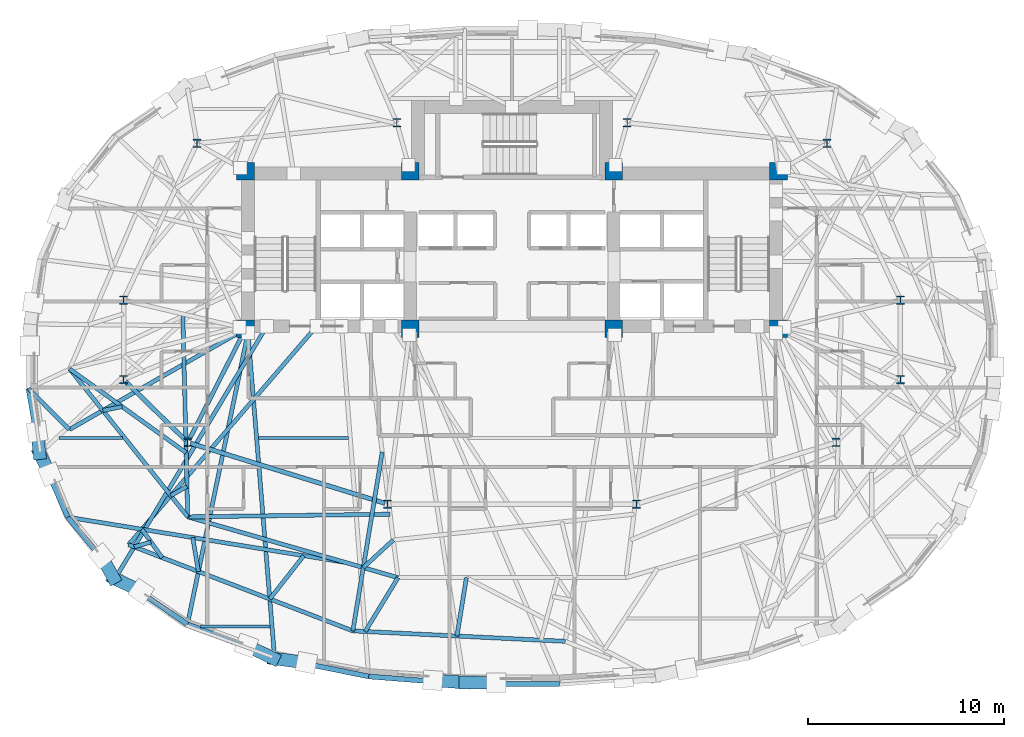
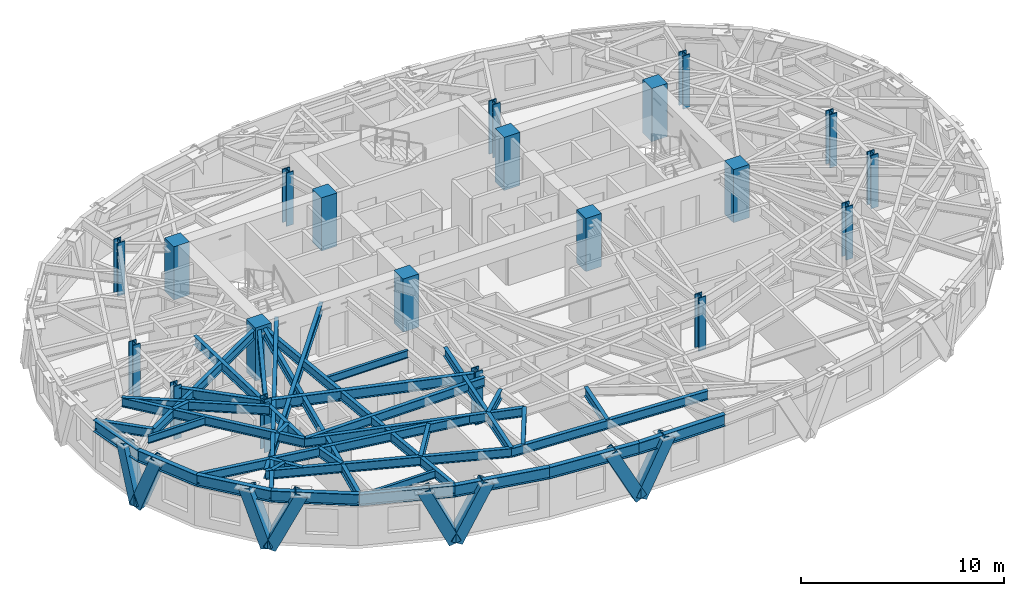
# One storey, part 1 of 15: 38 beams, 20 columns, 8 members.
"""IFC4 building model written with IfcOpenShell, lengths in metres."""

from ifc_helpers import new_model, si_unit, direction, frame, origin, origin_2d, place, context, subcontext, project, spatial, rectangle, hollow_rectangle, i_section, extrude, material, material_profile, profile_set, type_object, element, save


model = new_model("IFC4")

# Units and contexts
model_context = context("Model", 3, precision=1e-05, world=origin(), true_north=direction((0.0, 1.0)))
body_context = subcontext(model_context, "Body", "Model", "MODEL_VIEW")
ifc_project = project(units=[si_unit("LENGTHUNIT", "METRE"), si_unit("AREAUNIT", "SQUARE_METRE"), si_unit("VOLUMEUNIT", "CUBIC_METRE"), si_unit("PLANEANGLEUNIT", "RADIAN"), si_unit("MASSUNIT", "GRAM", prefix="KILO")], contexts=[model_context])

# Site, building, storey
site_placement = place(None, origin())
site = spatial("IfcSite", under=ifc_project, at=site_placement, CompositionType="ELEMENT")
building_placement = place(site_placement, origin())
building = spatial("IfcBuilding", under=site, at=building_placement, Name="Keldmark Tower", CompositionType="ELEMENT")
storey_placement = place(building_placement, frame((0.0, 0.0, 147.0)))
storey = spatial("IfcBuildingStorey", under=building, at=storey_placement, Name="L39", CompositionType="ELEMENT", Elevation=147.0)

# Columns
ifc_material_1 = material(Name="Concrete C50/60", Category="concrete")
ifc_material_profile_1 = material_profile(ifc_material_1, rectangle(XDim=0.89990234375, YDim=0.89990234375, at=origin_2d()), Name="RC900X900")
ifc_profile_set_1 = profile_set([ifc_material_profile_1], Name="Concrete C50/60")
column_type_1 = type_object("IfcColumnType", Name="Core Boundary Column RC900", PredefinedType="COLUMN", material=ifc_profile_set_1)
for number, where, z_axis, x_axis, name in (
    (1, (-13.60009765625, 1.39990234375, 0.0), (0.0, 0.0, 1.0), (1.0, 0.0, 0.0), "L39 Core Boundary Column CC-W1"),
    (2, (-13.60009765625, 9.449951171875, 0.0), (0.0, 0.0, 1.0), (1.0, 0.0, 0.0), "L39 Core Boundary Column CC-W2"),
    (3, (-5.199951171875, 1.39990234375, 0.0), (0.0, 0.0, 1.0), (1.0, 0.0, 0.0), "L39 Core Boundary Column CC-W3"),
    (4, (-5.199951171875, 9.449951171875, 0.0), (0.0, 0.0, 1.0), (1.0, 0.0, 0.0), "L39 Core Boundary Column CC-W4"),
    (5, (5.199951171875, 1.39990234375, 0.0), (0.0, 0.0, 1.0), (1.0, 0.0, 0.0), "L39 Core Boundary Column CC-E1"),
    (6, (5.199951171875, 9.449951171875, 0.0), (0.0, 0.0, 1.0), (1.0, 0.0, 0.0), "L39 Core Boundary Column CC-E2"),
    (7, (13.60009765625, 1.39990234375, 0.0), (0.0, 0.0, 1.0), (1.0, 0.0, 0.0), "L39 Core Boundary Column CC-E3"),
    (8, (13.60009765625, 9.449951171875, 0.0), (0.0, 0.0, 1.0), (1.0, 0.0, 0.0), "L39 Core Boundary Column CC-E4"),
):
    element("IfcColumn", number, at=place(storey_placement, frame(where, z_axis=z_axis, x_axis=x_axis)), inside=storey, type_object=column_type_1, Name=name, PredefinedType="COLUMN", context=body_context, shape_type="SweptSolid", body=[
        extrude(rectangle(XDim=0.89990234375, YDim=0.89990234375, at=origin_2d()), origin(), (0.0, 0.0, 1.0), 3.199951171875),
    ])
ifc_material_2 = material(Name="Steel ASTM A992 Grade 50", Category="steel")
ifc_material_profile_2 = material_profile(ifc_material_2, i_section(OverallWidth=0.412109375, OverallDepth=0.43505859375, WebThickness=0.035888671875, FlangeThickness=0.057373046875, at=origin_2d()), Name="W14X311")
ifc_profile_set_2 = profile_set([ifc_material_profile_2], Name="Steel ASTM A992 Grade 50")
column_type_2 = type_object("IfcColumnType", Name="Tower Gravity Column W14X311", PredefinedType="COLUMN", material=ifc_profile_set_2)
for number, where, z_axis, x_axis, name in (
    (9, (19.828369140625, 2.869140625, 0.0), (0.0, 0.0, 1.0), (1.0, 0.0, 0.0), "L39 Tower Gravity Column TC-E1"),
    (10, (16.08154296875, 10.861083984375, 0.0), (0.0, 0.0, 1.0), (1.0, 0.0, 0.0), "L39 Tower Gravity Column TC-E4"),
    (11, (5.880126953125, 11.915283203125, 0.0), (0.0, 0.0, 1.0), (1.0, 0.0, 0.0), "L39 Tower Gravity Column TC-N2"),
    (12, (-5.880126953125, 11.915283203125, 0.0), (0.0, 0.0, 1.0), (1.0, 0.0, 0.0), "L39 Tower Gravity Column TC-N1"),
    (13, (-16.08154296875, 10.861083984375, 0.0), (0.0, 0.0, 1.0), (1.0, 0.0, 0.0), "L39 Tower Gravity Column TC-W4"),
    (14, (-19.828369140625, 2.869140625, 0.0), (0.0, 0.0, 1.0), (1.0, 0.0, 0.0), "L39 Tower Gravity Column TC-W1"),
    (15, (-19.828369140625, -1.189208984375, 0.0), (0.0, 0.0, 1.0), (1.0, 0.0, 0.0), "L39 Tower Gravity Column TC-W5"),
    (16, (-16.546630859375, -4.3984375, 0.0), (0.0, 0.0, 1.0), (1.0, 0.0, 0.0), "L39 Tower Gravity Column TC-W2"),
    (17, (-6.351318359375, -7.546142578125, 0.0), (0.0, 0.0, 1.0), (1.0, 0.0, 0.0), "L39 Tower Gravity Column TC-W3"),
    (18, (6.351318359375, -7.546142578125, 0.0), (0.0, 0.0, 1.0), (1.0, 0.0, 0.0), "L39 Tower Gravity Column TC-E3"),
    (19, (16.546630859375, -4.3984375, 0.0), (0.0, 0.0, 1.0), (1.0, 0.0, 0.0), "L39 Tower Gravity Column TC-E2"),
    (20, (19.828369140625, -1.189208984375, 0.0), (0.0, 0.0, 1.0), (1.0, 0.0, 0.0), "L39 Tower Gravity Column TC-E5"),
):
    element("IfcColumn", number, at=place(storey_placement, frame(where, z_axis=z_axis, x_axis=x_axis)), inside=storey, type_object=column_type_2, Name=name, PredefinedType="COLUMN", context=body_context, shape_type="SweptSolid", body=[
        extrude(i_section(OverallWidth=0.412109375, OverallDepth=0.43505859375, WebThickness=0.035888671875, FlangeThickness=0.057373046875, at=origin_2d()), origin(), (0.0, 0.0, 1.0), 3.199951171875),
    ])

# Beams
ifc_material_3 = material(Name="Steel ASTM A992 Grade 50", Category="steel")
ifc_material_profile_3 = material_profile(ifc_material_3, i_section(OverallWidth=0.153076171875, OverallDepth=0.455078125, WebThickness=0.008056640625, FlangeThickness=0.01318359375, at=origin_2d()), Name="W18X40")
ifc_profile_set_3 = profile_set([ifc_material_profile_3], Name="Steel ASTM A992 Grade 50")
beam_type_1 = type_object("IfcBeamType", Name="Composite Floor Joist W18X40", PredefinedType="JOIST", material=ifc_profile_set_3)
beam_1_placement = place(storey_placement, frame((-15.906494140625, -13.800048828125, 2.79248046875), z_axis=(1.0, 0.0, 0.0), x_axis=(0.0, 1.0, 0.0)))
element("IfcBeam", 21, at=beam_1_placement, inside=storey, type_object=beam_type_1, Name="L39 Composite Floor Joist J01", PredefinedType="JOIST", context=body_context, shape_type="SweptSolid", body=[
    extrude(i_section(OverallWidth=0.153076171875, OverallDepth=0.455078125, WebThickness=0.008056640625, FlangeThickness=0.01318359375, at=origin_2d()), origin(), (0.0, 0.0, 1.0), 3.562744140625),
])
beam_2_placement = place(storey_placement, frame((-23.12158203125, -4.179931640625, 2.79248046875), z_axis=(1.0, 0.0, 0.0), x_axis=(0.0, 1.0, 0.0)))
element("IfcBeam", 22, at=beam_2_placement, inside=storey, type_object=beam_type_1, Name="L39 Composite Floor Joist J05", PredefinedType="JOIST", context=body_context, shape_type="SweptSolid", body=[
    extrude(i_section(OverallWidth=0.153076171875, OverallDepth=0.455078125, WebThickness=0.008056640625, FlangeThickness=0.01318359375, at=origin_2d()), origin(), (0.0, 0.0, 1.0), 3.23974609375),
])
beam_3_placement = place(storey_placement, frame((-12.9384765625, -4.179931640625, 2.79248046875), z_axis=(1.0, 0.0, 0.0), x_axis=(0.0, 1.0, 0.0)))
element("IfcBeam", 23, at=beam_3_placement, inside=storey, type_object=beam_type_1, Name="L39 Composite Floor Joist J06", PredefinedType="JOIST", context=body_context, shape_type="SweptSolid", body=[
    extrude(i_section(OverallWidth=0.153076171875, OverallDepth=0.455078125, WebThickness=0.008056640625, FlangeThickness=0.01318359375, at=origin_2d()), origin(), (0.0, 0.0, 1.0), 4.58447265625),
])

# Members
ifc_material_4 = material(Name="Steel ASTM A572 Grade 50", Category="steel")
ifc_material_profile_4 = material_profile(ifc_material_4, hollow_rectangle(XDim=0.64990234375, YDim=0.64990234375, WallThickness=0.0400390625, at=origin_2d()), Name="BOX650X650X40")
ifc_profile_set_4 = profile_set([ifc_material_profile_4], Name="Steel ASTM A572 Grade 50")
member_type = type_object("IfcMemberType", Name="Diagrid Zone 3 Brace BOX650X650X40", PredefinedType="BRACE", material=ifc_profile_set_4)
member_1_placement = place(storey_placement, frame((-24.115966796875, -4.965087890625, -0.260009765625), z_axis=(-0.037053544123, 0.332972319881, 0.942208293883), x_axis=(-0.993865171867, -0.110598463594, 0.0)))
element("IfcMember", 24, at=member_1_placement, inside=storey, type_object=member_type, Name="L39 Perimeter Diagrid Brace 09A", PredefinedType="BRACE", context=body_context, shape_type="SweptSolid", body=[
    extrude(hollow_rectangle(XDim=0.64990234375, YDim=0.64990234375, WallThickness=0.0400390625, at=origin_2d()), origin(), (0.0, 0.0, 1.0), 3.353759765625),
])
member_2_placement = place(storey_placement, frame((-24.118408203125, -4.95361328125, -0.260009765625), z_axis=(0.160742019447, -0.317223581057, 0.934628911818), x_axis=(0.892018310784, 0.451999262418, 0.0)))
element("IfcMember", 25, at=member_2_placement, inside=storey, type_object=member_type, Name="L39 Perimeter Diagrid Brace 09B", PredefinedType="BRACE", context=body_context, shape_type="SweptSolid", body=[
    extrude(hollow_rectangle(XDim=0.64990234375, YDim=0.64990234375, WallThickness=0.0400390625, at=origin_2d()), origin(), (0.0, 0.0, 1.0), 3.380859375),
])
member_3_placement = place(storey_placement, frame((-20.339111328125, -11.315185546875, -0.260009765625), z_axis=(-0.182228800254, 0.32851305916, 0.926753383765), x_axis=(-0.87447176206, -0.485076424246, 0.0)))
element("IfcMember", 26, at=member_3_placement, inside=storey, type_object=member_type, Name="L39 Perimeter Diagrid Brace 10A", PredefinedType="BRACE", context=body_context, shape_type="SweptSolid", body=[
    extrude(hollow_rectangle(XDim=0.64990234375, YDim=0.64990234375, WallThickness=0.0400390625, at=origin_2d()), origin(), (0.0, 0.0, 1.0), 3.40966796875),
])
member_4_placement = place(storey_placement, frame((-20.345458984375, -11.305419921875, -0.260009765625), z_axis=(0.400495237178, -0.198692632767, 0.894496955099), x_axis=(0.444428919938, 0.895814118622, 0.0)))
element("IfcMember", 27, at=member_4_placement, inside=storey, type_object=member_type, Name="L39 Perimeter Diagrid Brace 10B", PredefinedType="BRACE", context=body_context, shape_type="SweptSolid", body=[
    extrude(hollow_rectangle(XDim=0.64990234375, YDim=0.64990234375, WallThickness=0.0400390625, at=origin_2d()), origin(), (0.0, 0.0, 1.0), 3.53271484375),
])
member_5_placement = place(storey_placement, frame((-12.166015625, -15.43017578125, -0.260009765625), z_axis=(-0.39687884296, 0.190496294838, 0.89788548583), x_axis=(-0.432720821638, -0.901527975451, 0.0)))
element("IfcMember", 28, at=member_5_placement, inside=storey, type_object=member_type, Name="L39 Perimeter Diagrid Brace 11A", PredefinedType="BRACE", context=body_context, shape_type="SweptSolid", body=[
    extrude(hollow_rectangle(XDim=0.64990234375, YDim=0.64990234375, WallThickness=0.0400390625, at=origin_2d()), origin(), (0.0, 0.0, 1.0), 3.519287109375),
])
member_6_placement = place(storey_placement, frame((-12.17578125, -15.423583984375, -0.260009765625), z_axis=(0.469993079777, -0.060552090475, 0.880590682043), x_axis=(0.127780002502, 0.991802536275, 0.0)))
element("IfcMember", 29, at=member_6_placement, inside=storey, type_object=member_type, Name="L39 Perimeter Diagrid Brace 11B", PredefinedType="BRACE", context=body_context, shape_type="SweptSolid", body=[
    extrude(hollow_rectangle(XDim=0.64990234375, YDim=0.64990234375, WallThickness=0.0400390625, at=origin_2d()), origin(), (0.0, 0.0, 1.0), 3.58837890625),
])
member_7_placement = place(storey_placement, frame((-2.410888671875, -16.65380859375, -0.260009765625), z_axis=(-0.45823774082, 0.031569471436, 0.888268845205), x_axis=(-0.068730302133, -0.997635276827, 0.0)))
element("IfcMember", 30, at=member_7_placement, inside=storey, type_object=member_type, Name="L39 Perimeter Diagrid Brace 12A", PredefinedType="BRACE", context=body_context, shape_type="SweptSolid", body=[
    extrude(hollow_rectangle(XDim=0.64990234375, YDim=0.64990234375, WallThickness=0.0400390625, at=origin_2d()), origin(), (0.0, 0.0, 1.0), 3.557373046875),
])
member_8_placement = place(storey_placement, frame((-2.42236328125, -16.6513671875, -0.260009765625), z_axis=(0.45579851105, -0.004332423989, 0.890072439427), x_axis=(0.009504700399, 0.999954829315, 0.0)))
element("IfcMember", 31, at=member_8_placement, inside=storey, type_object=member_type, Name="L39 Perimeter Diagrid Brace 12B", PredefinedType="BRACE", context=body_context, shape_type="SweptSolid", body=[
    extrude(hollow_rectangle(XDim=0.64990234375, YDim=0.64990234375, WallThickness=0.0400390625, at=origin_2d()), origin(), (0.0, 0.0, 1.0), 3.55029296875),
])

# Beams
ifc_material_5 = material(Name="Steel ASTM A992 Grade 50", Category="steel")
ifc_material_profile_5 = material_profile(ifc_material_5, i_section(OverallWidth=0.22900390625, OverallDepth=0.612060546875, WebThickness=0.011962890625, FlangeThickness=0.01953125, at=origin_2d()), Name="W24X84")
ifc_profile_set_5 = profile_set([ifc_material_profile_5], Name="Steel ASTM A992 Grade 50")
beam_type_2 = type_object("IfcBeamType", Name="Primary Floor Girder W24X84", PredefinedType="BEAM", material=ifc_profile_set_5)
beam_4_placement = place(storey_placement, frame((-19.728271484375, -1.287109375, 2.714111328125), z_axis=(0.714964509815, -0.699160746684, 0.0), x_axis=(0.699160746684, 0.714964509815, 0.0)))
element("IfcBeam", 32, at=beam_4_placement, inside=storey, type_object=beam_type_2, Name="L39 Floor Ring Girder FG-R07", PredefinedType="BEAM", context=body_context, shape_type="SweptSolid", body=[
    extrude(i_section(OverallWidth=0.22900390625, OverallDepth=0.612060546875, WebThickness=0.011962890625, FlangeThickness=0.01953125, at=origin_2d()), origin(), (0.0, 0.0, 1.0), 4.31005859375),
])
beam_5_placement = place(storey_placement, frame((-16.412841796875, -4.439697265625, 2.714111328125), z_axis=(0.955494563145, -0.295008711398, 0.0), x_axis=(0.295008711398, 0.955494563145, 0.0)))
element("IfcBeam", 33, at=beam_5_placement, inside=storey, type_object=beam_type_2, Name="L39 Floor Ring Girder FG-R08", PredefinedType="BEAM", context=body_context, shape_type="SweptSolid", body=[
    extrude(i_section(OverallWidth=0.22900390625, OverallDepth=0.612060546875, WebThickness=0.011962890625, FlangeThickness=0.01953125, at=origin_2d()), origin(), (0.0, 0.0, 1.0), 10.39013671875),
])
ifc_material_6 = material(Name="Steel ASTM A992 Grade 50", Category="steel")
ifc_material_profile_6 = material_profile(ifc_material_6, i_section(OverallWidth=0.2099609375, OverallDepth=0.537109375, WebThickness=0.010986328125, FlangeThickness=0.017333984375, at=origin_2d()), Name="W21X68")
ifc_profile_set_6 = profile_set([ifc_material_profile_6], Name="Steel ASTM A992 Grade 50")
beam_type_3 = type_object("IfcBeamType", Name="Radial Tie Girder W21X68", PredefinedType="BEAM", material=ifc_profile_set_6)
beam_6_placement = place(storey_placement, frame((-16.4833984375, -4.273681640625, 2.75146484375), z_axis=(0.453036691775, 0.891491870914, 0.0), x_axis=(-0.891491870914, 0.453036691775, 0.0)))
element("IfcBeam", 34, at=beam_6_placement, inside=storey, type_object=beam_type_3, Name="L39 Floor Radial Girder FG-C08", PredefinedType="BEAM", context=body_context, shape_type="SweptSolid", body=[
    extrude(i_section(OverallWidth=0.2099609375, OverallDepth=0.537109375, WebThickness=0.010986328125, FlangeThickness=0.017333984375, at=origin_2d()), origin(), (0.0, 0.0, 1.0), 6.044189453125),
])
beam_7_placement = place(storey_placement, frame((-22.576416015625, -0.6494140625, 2.75146484375), z_axis=(0.811853446168, -0.583861269434, 0.0), x_axis=(0.583861269434, 0.811853446168, 0.0)))
element("IfcBeam", 35, at=beam_7_placement, inside=storey, type_object=beam_type_3, Name="L39 Framing Pin Header PH-004", PredefinedType="BEAM", context=body_context, shape_type="SweptSolid", body=[
    extrude(i_section(OverallWidth=0.2099609375, OverallDepth=0.537109375, WebThickness=0.010986328125, FlangeThickness=0.017333984375, at=origin_2d()), origin(), (0.0, 0.0, 1.0), 7.325439453125),
])
beam_8_placement = place(storey_placement, frame((-16.8017578125, 2.1552734375, 2.75146484375), z_axis=(0.024350814441, -0.999703474954, 0.0), x_axis=(0.999703474954, 0.024350814441, 0.0)))
element("IfcBeam", 36, at=beam_8_placement, inside=storey, type_object=beam_type_3, Name="L39 Sub-Ring Step Girder STP1-M08", PredefinedType="BEAM", context=body_context, shape_type="SweptSolid", body=[
    extrude(i_section(OverallWidth=0.2099609375, OverallDepth=0.537109375, WebThickness=0.010986328125, FlangeThickness=0.017333984375, at=origin_2d()), origin(), (0.0, 0.0, 1.0), 10.35693359375),
])
beam_9_placement = place(storey_placement, frame((-16.549560546875, -8.198486328125, 2.75146484375), z_axis=(0.999912662705, 0.013216162922, 0.0), x_axis=(-0.013216162922, 0.999912662705, 0.0)))
element("IfcBeam", 37, at=beam_9_placement, inside=storey, type_object=beam_type_3, Name="L39 Framing Pin Header PH-005", PredefinedType="BEAM", context=body_context, shape_type="SweptSolid", body=[
    extrude(i_section(OverallWidth=0.2099609375, OverallDepth=0.537109375, WebThickness=0.010986328125, FlangeThickness=0.017333984375, at=origin_2d()), origin(), (0.0, 0.0, 1.0), 10.326416015625),
])
beam_10_placement = place(storey_placement, frame((-22.576416015625, -0.6494140625, 2.75146484375), z_axis=(0.623911858681, -0.781494716935, 0.0), x_axis=(0.781494716935, 0.623911858681, 0.0)))
element("IfcBeam", 38, at=beam_10_placement, inside=storey, type_object=beam_type_3, Name="L39 Perimeter Collector Ring Beam CRG1-M07", PredefinedType="BEAM", context=body_context, shape_type="SweptSolid", body=[
    extrude(i_section(OverallWidth=0.2099609375, OverallDepth=0.537109375, WebThickness=0.010986328125, FlangeThickness=0.017333984375, at=origin_2d()), origin(), (0.0, 0.0, 1.0), 9.65966796875),
])
beam_11_placement = place(storey_placement, frame((-16.549560546875, -8.198486328125, 2.75146484375), z_axis=(0.960634893844, -0.277813967844, 0.0), x_axis=(0.277813967844, 0.960634893844, 0.0)))
element("IfcBeam", 39, at=beam_11_placement, inside=storey, type_object=beam_type_3, Name="L39 Perimeter Collector Ring Beam CRG1-M08", PredefinedType="BEAM", context=body_context, shape_type="SweptSolid", body=[
    extrude(i_section(OverallWidth=0.2099609375, OverallDepth=0.537109375, WebThickness=0.010986328125, FlangeThickness=0.017333984375, at=origin_2d()), origin(), (0.0, 0.0, 1.0), 11.171142578125),
])
beam_12_placement = place(storey_placement, frame((-16.58740234375, -6.6455078125, 2.75146484375), z_axis=(-0.870820765898, -0.491600644508, 0.0), x_axis=(0.491600644508, -0.870820765898, 0.0)))
element("IfcBeam", 40, at=beam_12_placement, inside=storey, type_object=beam_type_3, Name="L39 Framing Pin Header PH-010", PredefinedType="BEAM", context=body_context, shape_type="SweptSolid", body=[
    extrude(i_section(OverallWidth=0.2099609375, OverallDepth=0.537109375, WebThickness=0.010986328125, FlangeThickness=0.017333984375, at=origin_2d()), origin(), (0.0, 0.0, 1.0), 0.951416015625),
])
beam_13_placement = place(storey_placement, frame((-9.97509765625, 1.52490234375, 2.75146484375), z_axis=(-0.652643064261, -0.757665513714, 0.0), x_axis=(0.757665513714, -0.652643064261, 0.0)))
element("IfcBeam", 41, at=beam_13_placement, inside=storey, type_object=beam_type_3, Name="L39 Sub-Ring Step Girder STP2-M08", PredefinedType="BEAM", context=body_context, shape_type="SweptSolid", body=[
    extrude(i_section(OverallWidth=0.2099609375, OverallDepth=0.537109375, WebThickness=0.010986328125, FlangeThickness=0.017333984375, at=origin_2d()), origin(), (0.0, 0.0, 1.0), 14.7080078125),
])
beam_14_placement = place(storey_placement, frame((-6.05908203125, -9.3779296875, 2.75146484375), z_axis=(-0.73584461227, -0.677150431288, 0.0), x_axis=(0.677150431288, -0.73584461227, 0.0)))
element("IfcBeam", 42, at=beam_14_placement, inside=storey, type_object=beam_type_3, Name="L39 Framing Pin Header PH-011", PredefinedType="BEAM", context=body_context, shape_type="SweptSolid", body=[
    extrude(i_section(OverallWidth=0.2099609375, OverallDepth=0.537109375, WebThickness=0.010986328125, FlangeThickness=0.017333984375, at=origin_2d()), origin(), (0.0, 0.0, 1.0), 2.083984375),
])
beam_15_placement = place(storey_placement, frame((-6.62158203125, -4.888671875, 2.75146484375), z_axis=(-0.162353358547, -0.986732682629, 0.0), x_axis=(0.986732682629, -0.162353358547, 0.0)))
element("IfcBeam", 43, at=beam_15_placement, inside=storey, type_object=beam_type_3, Name="L39 Sub-Ring Step Girder STP2-M09", PredefinedType="BEAM", context=body_context, shape_type="SweptSolid", body=[
    extrude(i_section(OverallWidth=0.2099609375, OverallDepth=0.537109375, WebThickness=0.010986328125, FlangeThickness=0.017333984375, at=origin_2d()), origin(), (0.0, 0.0, 1.0), 9.252685546875),
])
beam_16_placement = place(storey_placement, frame((-19.57421875, -9.618896484375, 2.75146484375), z_axis=(0.933464561773, -0.35866964175, 0.0), x_axis=(0.35866964175, 0.933464561773, 0.0)))
element("IfcBeam", 44, at=beam_16_placement, inside=storey, type_object=beam_type_3, Name="L39 Perimeter Collector Ring Beam CRG2-M08", PredefinedType="BEAM", context=body_context, shape_type="SweptSolid", body=[
    extrude(i_section(OverallWidth=0.2099609375, OverallDepth=0.537109375, WebThickness=0.010986328125, FlangeThickness=0.017333984375, at=origin_2d()), origin(), (0.0, 0.0, 1.0), 12.2666015625),
])
beam_17_placement = place(storey_placement, frame((-8.123779296875, -14.0185546875, 2.75146484375), z_axis=(0.998791841981, -0.049141188352, 0.0), x_axis=(0.049141188352, 0.998791841981, 0.0)))
element("IfcBeam", 45, at=beam_17_placement, inside=storey, type_object=beam_type_3, Name="L39 Perimeter Collector Ring Beam CRG2-M09", PredefinedType="BEAM", context=body_context, shape_type="SweptSolid", body=[
    extrude(i_section(OverallWidth=0.2099609375, OverallDepth=0.537109375, WebThickness=0.010986328125, FlangeThickness=0.017333984375, at=origin_2d()), origin(), (0.0, 0.0, 1.0), 10.85546875),
])
beam_18_placement = place(storey_placement, frame((-19.900146484375, -2.573974609375, 2.75146484375), z_axis=(-0.981128703332, -0.193355805441, 0.0), x_axis=(0.193355805441, -0.981128703332, 0.0)))
element("IfcBeam", 46, at=beam_18_placement, inside=storey, type_object=beam_type_3, Name="L39 Framing Pin Header PH-026", PredefinedType="BEAM", context=body_context, shape_type="SweptSolid", body=[
    extrude(i_section(OverallWidth=0.2099609375, OverallDepth=0.537109375, WebThickness=0.010986328125, FlangeThickness=0.017333984375, at=origin_2d()), origin(), (0.0, 0.0, 1.0), 1.00390625),
])
beam_19_placement = place(storey_placement, frame((-13.60009765625, 1.39990234375, 2.75146484375), z_axis=(-0.867973284068, -0.496610892092, 0.0), x_axis=(0.496610892092, -0.867973284068, 0.0)))
element("IfcBeam", 47, at=beam_19_placement, inside=storey, type_object=beam_type_3, Name="L39 Intermediate Radial Step Girder RT-18M", PredefinedType="BEAM", context=body_context, shape_type="SweptSolid", body=[
    extrude(i_section(OverallWidth=0.2099609375, OverallDepth=0.537109375, WebThickness=0.010986328125, FlangeThickness=0.017333984375, at=origin_2d()), origin(), (0.0, 0.0, 1.0), 10.3603515625),
])
beam_20_placement = place(storey_placement, frame((-24.67626953125, -1.6474609375, 2.75146484375), z_axis=(0.7047495714, -0.709456159048, 0.0), x_axis=(0.709456159048, 0.7047495714, 0.0)))
element("IfcBeam", 48, at=beam_20_placement, inside=storey, type_object=beam_type_3, Name="L39 Local Collector Chord RT-18C", PredefinedType="BEAM", context=body_context, shape_type="SweptSolid", body=[
    extrude(i_section(OverallWidth=0.2099609375, OverallDepth=0.537109375, WebThickness=0.010986328125, FlangeThickness=0.017333984375, at=origin_2d()), origin(), (0.0, 0.0, 1.0), 2.956787109375),
])
beam_21_placement = place(storey_placement, frame((-17.856689453125, -10.27880859375, 2.75146484375), z_axis=(-0.582921639171, 0.81252837648, 0.0), x_axis=(-0.81252837648, -0.582921639171, 0.0)))
element("IfcBeam", 49, at=beam_21_placement, inside=storey, type_object=beam_type_3, Name="L39 Framing Pin Header PH-027", PredefinedType="BEAM", context=body_context, shape_type="SweptSolid", body=[
    extrude(i_section(OverallWidth=0.2099609375, OverallDepth=0.537109375, WebThickness=0.010986328125, FlangeThickness=0.017333984375, at=origin_2d()), origin(), (0.0, 0.0, 1.0), 1.781982421875),
])
beam_22_placement = place(storey_placement, frame((-8.5009765625, -10.526123046875, 2.75146484375), z_axis=(-0.986961392666, 0.160957166311, 0.0), x_axis=(-0.160957166311, -0.986961392666, 0.0)))
element("IfcBeam", 50, at=beam_22_placement, inside=storey, type_object=beam_type_3, Name="L39 Perimeter Radial Tie Girder RT-19", PredefinedType="BEAM", context=body_context, shape_type="SweptSolid", body=[
    extrude(i_section(OverallWidth=0.2099609375, OverallDepth=0.537109375, WebThickness=0.010986328125, FlangeThickness=0.017333984375, at=origin_2d()), origin(), (0.0, 0.0, 1.0), 14.359619140625),
])
beam_23_placement = place(storey_placement, frame((-18.427978515625, -9.482421875, 2.75146484375), z_axis=(-0.960577739663, -0.278011521459, 0.0), x_axis=(0.278011521459, -0.960577739663, 0.0)))
element("IfcBeam", 51, at=beam_23_placement, inside=storey, type_object=beam_type_3, Name="L39 Framing Pin Header PH-028", PredefinedType="BEAM", context=body_context, shape_type="SweptSolid", body=[
    extrude(i_section(OverallWidth=0.2099609375, OverallDepth=0.537109375, WebThickness=0.010986328125, FlangeThickness=0.017333984375, at=origin_2d()), origin(), (0.0, 0.0, 1.0), 0.891357421875),
])
beam_24_placement = place(storey_placement, frame((-12.52490234375, 1.52490234375, 2.75146484375), z_axis=(-0.514833613266, -0.857290120468, 0.0), x_axis=(0.857290120468, -0.514833613266, 0.0)))
element("IfcBeam", 52, at=beam_24_placement, inside=storey, type_object=beam_type_3, Name="L39 Perimeter Radial Tie Girder RT-20", PredefinedType="BEAM", context=body_context, shape_type="SweptSolid", body=[
    extrude(i_section(OverallWidth=0.2099609375, OverallDepth=0.537109375, WebThickness=0.010986328125, FlangeThickness=0.017333984375, at=origin_2d()), origin(), (0.0, 0.0, 1.0), 14.87548828125),
])
beam_25_placement = place(storey_placement, frame((-16.2958984375, -9.2548828125, 2.75146484375), z_axis=(0.165006576996, -0.986292466537, 0.0), x_axis=(0.986292466537, 0.165006576996, 0.0)))
element("IfcBeam", 53, at=beam_25_placement, inside=storey, type_object=beam_type_3, Name="L39 Framing Pin Header PH-029", PredefinedType="BEAM", context=body_context, shape_type="SweptSolid", body=[
    extrude(i_section(OverallWidth=0.2099609375, OverallDepth=0.537109375, WebThickness=0.010986328125, FlangeThickness=0.017333984375, at=origin_2d()), origin(), (0.0, 0.0, 1.0), 1.75927734375),
])
beam_26_placement = place(storey_placement, frame((-13.47509765625, 1.199951171875, 2.75146484375), z_axis=(-0.20325626548, -0.979125574451, 0.0), x_axis=(0.979125574451, -0.20325626548, 0.0)))
element("IfcBeam", 54, at=beam_26_placement, inside=storey, type_object=beam_type_3, Name="L39 Perimeter Radial Tie Girder RT-21", PredefinedType="BEAM", context=body_context, shape_type="SweptSolid", body=[
    extrude(i_section(OverallWidth=0.2099609375, OverallDepth=0.537109375, WebThickness=0.010986328125, FlangeThickness=0.017333984375, at=origin_2d()), origin(), (0.0, 0.0, 1.0), 15.197998046875),
])
beam_27_placement = place(storey_placement, frame((-10.626708984375, -10.179443359375, 2.75146484375), z_axis=(-0.617710290391, -0.786405745875, 0.0), x_axis=(0.786405745875, -0.617710290391, 0.0)))
element("IfcBeam", 55, at=beam_27_placement, inside=storey, type_object=beam_type_3, Name="L39 Framing Pin Header PH-030", PredefinedType="BEAM", context=body_context, shape_type="SweptSolid", body=[
    extrude(i_section(OverallWidth=0.2099609375, OverallDepth=0.537109375, WebThickness=0.010986328125, FlangeThickness=0.017333984375, at=origin_2d()), origin(), (0.0, 0.0, 1.0), 2.810546875),
])
beam_28_placement = place(storey_placement, frame((-13.47509765625, 1.199951171875, 2.75146484375), z_axis=(0.081565057337, -0.996668019664, 0.0), x_axis=(0.996668019664, 0.081565057337, 0.0)))
element("IfcBeam", 56, at=beam_28_placement, inside=storey, type_object=beam_type_3, Name="L39 Perimeter Radial Tie Girder RT-22", PredefinedType="BEAM", context=body_context, shape_type="SweptSolid", body=[
    extrude(i_section(OverallWidth=0.2099609375, OverallDepth=0.537109375, WebThickness=0.010986328125, FlangeThickness=0.017333984375, at=origin_2d()), origin(), (0.0, 0.0, 1.0), 16.624267578125),
])
beam_29_placement = place(storey_placement, frame((-5.818115234375, -11.302001953125, 2.75146484375), z_axis=(-0.520320025358, -0.853971352688, 0.0), x_axis=(0.853971352688, -0.520320025358, 0.0)))
element("IfcBeam", 57, at=beam_29_placement, inside=storey, type_object=beam_type_3, Name="L39 Framing Pin Header PH-031", PredefinedType="BEAM", context=body_context, shape_type="SweptSolid", body=[
    extrude(i_section(OverallWidth=0.2099609375, OverallDepth=0.537109375, WebThickness=0.010986328125, FlangeThickness=0.017333984375, at=origin_2d()), origin(), (0.0, 0.0, 1.0), 3.21728515625),
])
beam_30_placement = place(storey_placement, frame((-2.327392578125, -11.302001953125, 2.75146484375), z_axis=(-0.159435996601, -0.987208267281, 0.0), x_axis=(0.987208267281, -0.159435996601, 0.0)))
element("IfcBeam", 58, at=beam_30_placement, inside=storey, type_object=beam_type_3, Name="L39 Framing Pin Header PH-032", PredefinedType="BEAM", context=body_context, shape_type="SweptSolid", body=[
    extrude(i_section(OverallWidth=0.2099609375, OverallDepth=0.537109375, WebThickness=0.010986328125, FlangeThickness=0.017333984375, at=origin_2d()), origin(), (0.0, 0.0, 1.0), 3.0166015625),
])
ifc_material_7 = material(Name="Steel ASTM A992 Grade 50", Category="steel")
ifc_material_profile_7 = material_profile(ifc_material_7, i_section(OverallWidth=0.256103515625, OverallDepth=0.693115234375, WebThickness=0.014404296875, FlangeThickness=0.023681640625, at=origin_2d()), Name="W27X114")
ifc_profile_set_7 = profile_set([ifc_material_profile_7], Name="Steel ASTM A992 Grade 50")
beam_type_4 = type_object("IfcBeamType", Name="Spandrel Ring Beam W27X114", PredefinedType="SPANDREL", material=ifc_profile_set_7)
beam_31_placement = place(storey_placement, frame((-24.67626953125, -1.6474609375, 2.673583984375), z_axis=(0.168075929829, -0.985774052109, 0.0), x_axis=(0.985774052109, 0.168075929829, 0.0)))
element("IfcBeam", 59, at=beam_31_placement, inside=storey, type_object=beam_type_4, Name="L39 Perimeter Spandrel Ring Beam SRB-17", PredefinedType="SPANDREL", context=body_context, shape_type="SweptSolid", body=[
    extrude(i_section(OverallWidth=0.256103515625, OverallDepth=0.693115234375, WebThickness=0.014404296875, FlangeThickness=0.023681640625, at=origin_2d()), origin(), (0.0, 0.0, 1.0), 3.3583984375),
])
beam_32_placement = place(storey_placement, frame((-24.11181640625, -4.9580078125, 2.673583984375), z_axis=(0.404025086602, -0.914747904833, 0.0), x_axis=(0.914747904833, 0.404025086602, 0.0)))
element("IfcBeam", 60, at=beam_32_placement, inside=storey, type_object=beam_type_4, Name="L39 Perimeter Spandrel Ring Beam SRB-18", PredefinedType="SPANDREL", context=body_context, shape_type="SweptSolid", body=[
    extrude(i_section(OverallWidth=0.256103515625, OverallDepth=0.693115234375, WebThickness=0.014404296875, FlangeThickness=0.023681640625, at=origin_2d()), origin(), (0.0, 0.0, 1.0), 3.560302734375),
])
beam_33_placement = place(storey_placement, frame((-22.67333984375, -8.21484375, 2.673583984375), z_axis=(0.637039621307, -0.770831058589, 0.0), x_axis=(0.770831058589, 0.637039621307, 0.0)))
element("IfcBeam", 61, at=beam_33_placement, inside=storey, type_object=beam_type_4, Name="L39 Perimeter Spandrel Ring Beam SRB-19", PredefinedType="SPANDREL", context=body_context, shape_type="SweptSolid", body=[
    extrude(i_section(OverallWidth=0.256103515625, OverallDepth=0.693115234375, WebThickness=0.014404296875, FlangeThickness=0.023681640625, at=origin_2d()), origin(), (0.0, 0.0, 1.0), 3.90869140625),
])
beam_34_placement = place(storey_placement, frame((-20.183349609375, -11.227783203125, 2.673583984375), z_axis=(0.827764762149, -0.561075305591, 0.0), x_axis=(0.561075305591, 0.827764762149, 0.0)))
element("IfcBeam", 62, at=beam_34_placement, inside=storey, type_object=beam_type_4, Name="L39 Perimeter Spandrel Ring Beam SRB-20", PredefinedType="SPANDREL", context=body_context, shape_type="SweptSolid", body=[
    extrude(i_section(OverallWidth=0.256103515625, OverallDepth=0.693115234375, WebThickness=0.014404296875, FlangeThickness=0.023681640625, at=origin_2d()), origin(), (0.0, 0.0, 1.0), 4.3720703125),
])
beam_35_placement = place(storey_placement, frame((-16.564208984375, -13.680908203125, 2.673583984375), z_axis=(0.93486300855, -0.355008669254, 0.0), x_axis=(0.355008669254, 0.93486300855, 0.0)))
element("IfcBeam", 63, at=beam_35_placement, inside=storey, type_object=beam_type_4, Name="L39 Perimeter Spandrel Ring Beam SRB-21", PredefinedType="SPANDREL", context=body_context, shape_type="SweptSolid", body=[
    extrude(i_section(OverallWidth=0.256103515625, OverallDepth=0.693115234375, WebThickness=0.014404296875, FlangeThickness=0.023681640625, at=origin_2d()), origin(), (0.0, 0.0, 1.0), 4.7548828125),
])
beam_36_placement = place(storey_placement, frame((-12.119140625, -15.368896484375, 2.673583984375), z_axis=(0.980023275358, -0.198882829215, 0.0), x_axis=(0.198882829215, 0.980023275358, 0.0)))
element("IfcBeam", 64, at=beam_36_placement, inside=storey, type_object=beam_type_4, Name="L39 Perimeter Spandrel Ring Beam SRB-22", PredefinedType="SPANDREL", context=body_context, shape_type="SweptSolid", body=[
    extrude(i_section(OverallWidth=0.256103515625, OverallDepth=0.693115234375, WebThickness=0.014404296875, FlangeThickness=0.023681640625, at=origin_2d()), origin(), (0.0, 0.0, 1.0), 4.90283203125),
])
beam_37_placement = place(storey_placement, frame((-7.314208984375, -16.343994140625, 2.673583984375), z_axis=(0.996945914476, -0.07809509338, 0.0), x_axis=(0.07809509338, 0.996945914476, 0.0)))
element("IfcBeam", 65, at=beam_37_placement, inside=storey, type_object=beam_type_4, Name="L39 Perimeter Spandrel Ring Beam SRB-23", PredefinedType="SPANDREL", context=body_context, shape_type="SweptSolid", body=[
    extrude(i_section(OverallWidth=0.256103515625, OverallDepth=0.693115234375, WebThickness=0.014404296875, FlangeThickness=0.023681640625, at=origin_2d()), origin(), (0.0, 0.0, 1.0), 4.898681640625),
])
beam_38_placement = place(storey_placement, frame((-2.430419921875, -16.7265625, 2.673583984375), z_axis=(1.0, 0.0, 0.0), x_axis=(0.0, 1.0, 0.0)))
element("IfcBeam", 66, at=beam_38_placement, inside=storey, type_object=beam_type_4, Name="L39 Perimeter Spandrel Ring Beam SRB-24", PredefinedType="SPANDREL", context=body_context, shape_type="SweptSolid", body=[
    extrude(i_section(OverallWidth=0.256103515625, OverallDepth=0.693115234375, WebThickness=0.014404296875, FlangeThickness=0.023681640625, at=origin_2d()), origin(), (0.0, 0.0, 1.0), 4.86083984375),
])

save(model, "model.ifc")
